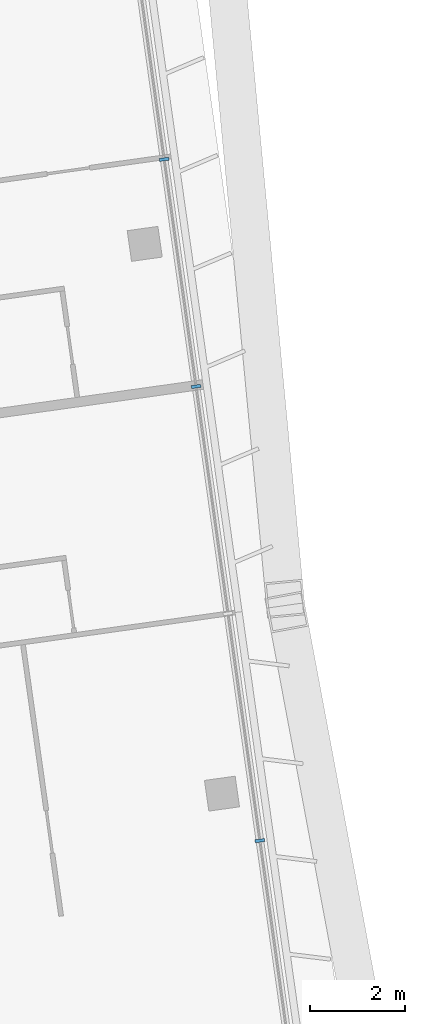
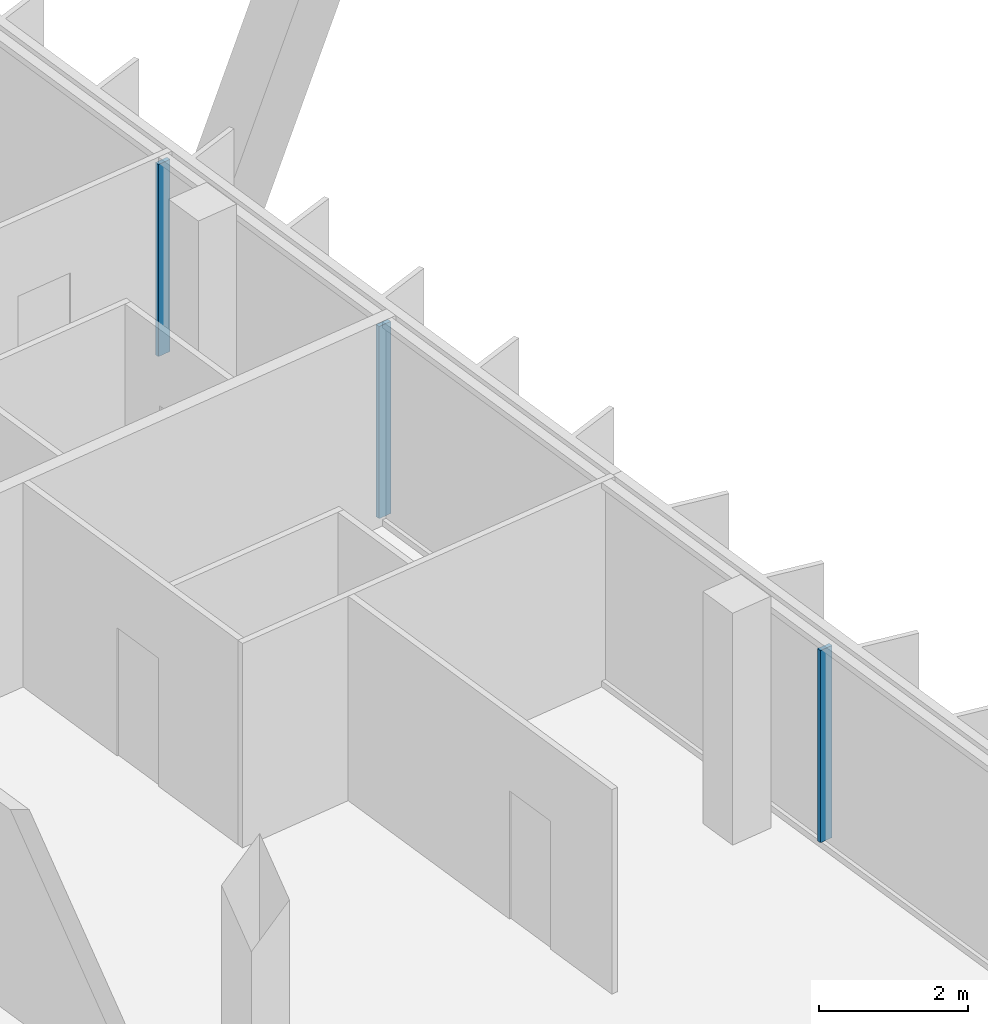
# One storey, part 16 of 33: 3 members, 1 element without a shape of its own.
"""IFC4 building model written with IfcOpenShell, lengths in metres."""

from ifc_helpers import new_model, si_unit, direction, frame, origin, origin_2d, place, context, subcontext, project, spatial, rectangle, extrude, material, material_profile, profile_set, type_object, element, aggregate, save


model = new_model("IFC4")

# Units and contexts
model_context = context("Model", 3, precision=1e-05, world=origin(), true_north=direction((0.0, 1.0)))
body_context = subcontext(model_context, "Body", "Model", "MODEL_VIEW")
ifc_project = project(units=[si_unit("LENGTHUNIT", "METRE"), si_unit("AREAUNIT", "SQUARE_METRE"), si_unit("VOLUMEUNIT", "CUBIC_METRE"), si_unit("PLANEANGLEUNIT", "RADIAN"), si_unit("MASSUNIT", "GRAM", prefix="KILO")], contexts=[model_context])

# Site, building, storey
site_placement = place(None, origin())
site = spatial("IfcSite", under=ifc_project, at=site_placement, CompositionType="ELEMENT")
building_placement = place(site_placement, origin())
building = spatial("IfcBuilding", under=site, at=building_placement, Name="Mirante Cascada Hotel Towers", CompositionType="ELEMENT")
storey_placement = place(building_placement, frame((0.0, 0.0, 121.5)))
storey = spatial("IfcBuildingStorey", under=building, at=storey_placement, Name="L27", CompositionType="ELEMENT", Elevation=121.5)

# Curtain wall, members
ifc_material_1 = material(Name="Aluminium mullion and transom frame with clear laminated glass", Category="aluminium")
curtain_wall_type = type_object("IfcCurtainWallType", Name="End ribbon curtain wall ECW2", PredefinedType="NOTDEFINED", material=ifc_material_1)
curtain_wall_placement = place(storey_placement, origin())
curtain_wall = element("IfcCurtainWall", 1, at=curtain_wall_placement, inside=storey, type_object=curtain_wall_type, Name="Outer end wall T2 L27", PredefinedType="NOTDEFINED")
ifc_material_2 = material(Name="Anodised aluminium extrusion", Category="aluminium")
ifc_material_profile = material_profile(ifc_material_2, rectangle(XDim=0.2, YDim=0.065, at=origin_2d()), Name="ECW2 MULLION 65x200")
ifc_profile_set = profile_set([ifc_material_profile], Name="Anodised aluminium extrusion")
member_type = type_object("IfcMemberType", Name="ECW2 mullion 65x200", PredefinedType="MULLION", material=ifc_profile_set)
member_1_placement = place(storey_placement, frame((101.8205, 3.2338, 0.1), z_axis=(0.0, 0.0, 1.0), x_axis=(-0.9902681, -0.1391731, 0.0)))
member_1 = element("IfcMember", 2, at=member_1_placement, type_object=member_type, Name="ECW2 mullion 3", PredefinedType="MULLION", context=body_context, shape_type="SweptSolid", body=[
    extrude(rectangle(XDim=0.2, YDim=0.065, at=origin_2d()), origin(), (0.0, 0.0, 1.0), 3.15),
])
member_2_placement = place(storey_placement, frame((100.481, 12.7654, 0.1), z_axis=(0.0, 0.0, 1.0), x_axis=(-0.9902681, -0.1391731, 0.0)))
member_2 = element("IfcMember", 3, at=member_2_placement, type_object=member_type, Name="ECW2 mullion 5", PredefinedType="MULLION", context=body_context, shape_type="SweptSolid", body=[
    extrude(rectangle(XDim=0.2, YDim=0.065, at=origin_2d()), origin(), (0.0, 0.0, 1.0), 3.15),
])
member_3_placement = place(storey_placement, frame((99.8112, 17.5312, 0.1), z_axis=(0.0, 0.0, 1.0), x_axis=(-0.9902681, -0.1391731, 0.0)))
member_3 = element("IfcMember", 4, at=member_3_placement, type_object=member_type, Name="ECW2 mullion 6", PredefinedType="MULLION", context=body_context, shape_type="SweptSolid", body=[
    extrude(rectangle(XDim=0.2, YDim=0.065, at=origin_2d()), origin(), (0.0, 0.0, 1.0), 3.15),
])
aggregate(curtain_wall, [member_1, member_2, member_3])

save(model, "model.ifc")
